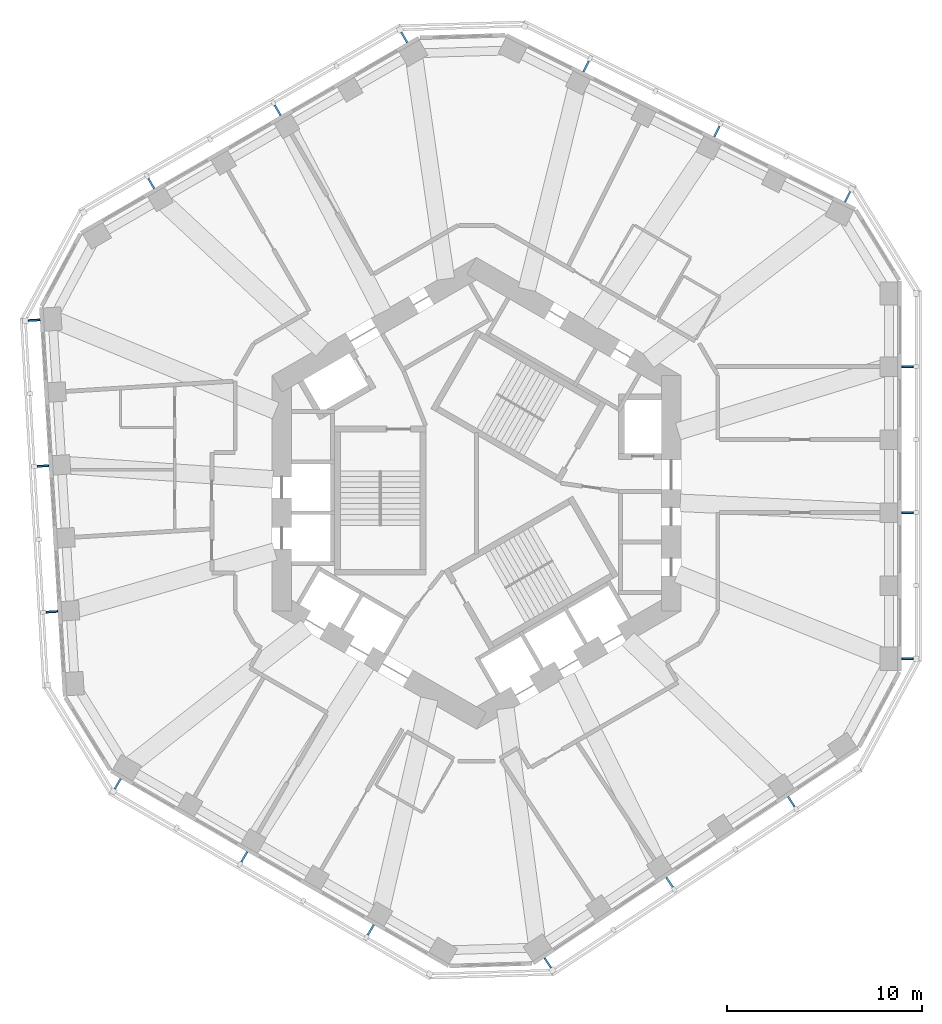
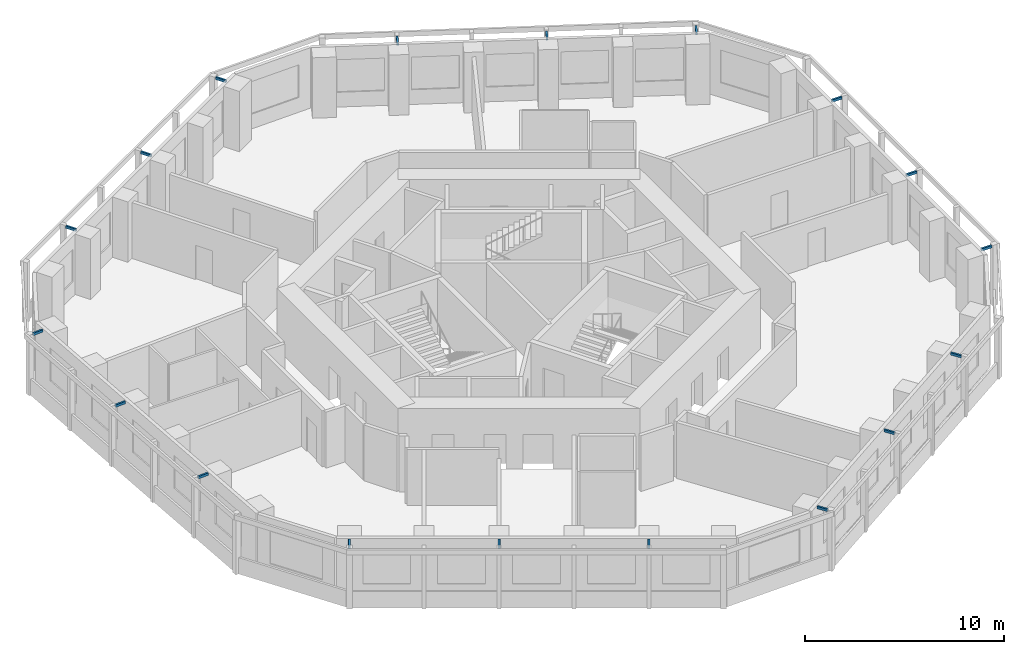
# One storey, part 9 of 10: 18 discrete accessories.
"""IFC4 building model written with IfcOpenShell, lengths in metres."""

from ifc_helpers import new_model, si_unit, direction, frame, origin, origin_2d, place, context, subcontext, project, spatial, rectangle, extrude, material, type_object, element, save


model = new_model("IFC4")

# Units and contexts
model_context = context("Model", 3, precision=1e-05, world=origin(), true_north=direction((0.0, 1.0)))
body_context = subcontext(model_context, "Body", "Model", "MODEL_VIEW")
ifc_project = project(units=[si_unit("LENGTHUNIT", "METRE"), si_unit("AREAUNIT", "SQUARE_METRE"), si_unit("VOLUMEUNIT", "CUBIC_METRE"), si_unit("PLANEANGLEUNIT", "RADIAN"), si_unit("MASSUNIT", "GRAM", prefix="KILO")], contexts=[model_context])

# Site, building, storey
site_placement = place(None, origin())
site = spatial("IfcSite", under=ifc_project, at=site_placement, CompositionType="ELEMENT")
building_placement = place(site_placement, origin())
building = spatial("IfcBuilding", under=site, at=building_placement, Name="Vanh Sen Convention Tower", CompositionType="ELEMENT")
storey_placement = place(building_placement, frame((0.0, 0.0, 157.699951171875)))
storey = spatial("IfcBuildingStorey", under=building, at=storey_placement, Name="L38", CompositionType="ELEMENT", Elevation=157.699951171875)

# Discrete accessories
ifc_material = material(Name="Steel S355", Category="steel")
discrete_accessory_type = type_object("IfcDiscreteAccessoryType", Name="Fin bracket 100 x 150", PredefinedType="BRACKET", material=ifc_material)
for number, where, z_axis, x_axis, name in (
    (1, (22.14990234375, -8.5009765625, 3.5), (0.0, 0.0, 1.0), (1.0, 0.0, 0.0), "Fin bracket E-1 L38"),
    (2, (22.14990234375, -0.992919921875, 3.5), (0.0, 0.0, 1.0), (1.0, 0.0, 0.0), "Fin bracket E-3 L38"),
    (3, (22.14990234375, 6.515380859375, 3.5), (0.0, 0.0, 1.0), (1.0, 0.0, 0.0), "Fin bracket E-5 L38"),
    (4, (19.073974609375, 15.240478515625, 3.5), (0.0, 0.0, 1.0), (0.44619781311, 0.894934361602, 0.0), "Fin bracket NE-1 L38"),
    (5, (12.3544921875, 18.5908203125, 3.5), (0.0, 0.0, 1.0), (0.44619781311, 0.894934361602, 0.0), "Fin bracket NE-3 L38"),
    (6, (5.635009765625, 21.94091796875, 3.5), (0.0, 0.0, 1.0), (0.44619781311, 0.894934361602, 0.0), "Fin bracket NE-5 L38"),
    (7, (-3.712890625, 23.432861328125, 3.5), (0.0, 0.0, 1.0), (-0.5, 0.866025403784, 0.0), "Fin bracket NW-1 L38"),
    (8, (-10.215087890625, 19.6787109375, 3.5), (0.0, 0.0, 1.0), (-0.5, 0.866025403784, 0.0), "Fin bracket NW-3 L38"),
    (9, (-16.717529296875, 15.9248046875, 3.5), (0.0, 0.0, 1.0), (-0.5, 0.866025403784, 0.0), "Fin bracket NW-5 L38"),
    (10, (-22.735595703125, 8.898193359375, 3.5), (0.0, 0.0, 1.0), (-0.998134798422, -0.061048539535, 0.0), "Fin bracket W-1 L38"),
    (11, (-22.277099609375, 1.40380859375, 3.5), (0.0, 0.0, 1.0), (-0.998134798422, -0.061048539535, 0.0), "Fin bracket W-3 L38"),
    (12, (-21.81884765625, -6.09033203125, 3.5), (0.0, 0.0, 1.0), (-0.998134798422, -0.061048539535, 0.0), "Fin bracket W-5 L38"),
    (13, (-18.43701171875, -14.931884765625, 3.5), (0.0, 0.0, 1.0), (-0.5, -0.866025403784, 0.0), "Fin bracket SW-1 L38"),
    (14, (-11.934814453125, -18.68603515625, 3.5), (0.0, 0.0, 1.0), (-0.5, -0.866025403784, 0.0), "Fin bracket SW-3 L38"),
    (15, (-5.4326171875, -22.440185546875, 3.5), (0.0, 0.0, 1.0), (-0.5, -0.866025403784, 0.0), "Fin bracket SW-5 L38"),
    (16, (3.66162109375, -24.138671875, 3.5), (0.0, 0.0, 1.0), (0.551936985312, -0.833885822067, 0.0), "Fin bracket SE-1 L38"),
    (17, (9.922607421875, -19.99462890625, 3.5), (0.0, 0.0, 1.0), (0.551936985312, -0.833885822067, 0.0), "Fin bracket SE-3 L38"),
    (18, (16.18359375, -15.8505859375, 3.5), (0.0, 0.0, 1.0), (0.551936985312, -0.833885822067, 0.0), "Fin bracket SE-5 L38"),
):
    element("IfcDiscreteAccessory", number, at=place(storey_placement, frame(where, z_axis=z_axis, x_axis=x_axis)), inside=storey, type_object=discrete_accessory_type, Name=name, PredefinedType="BRACKET", context=body_context, shape_type="SweptSolid", body=[
        extrude(rectangle(XDim=0.60009765625, YDim=0.10009765625, at=origin_2d()), origin(), (0.0, 0.0, 1.0), 0.14990234375),
    ])

save(model, "model.ifc")
